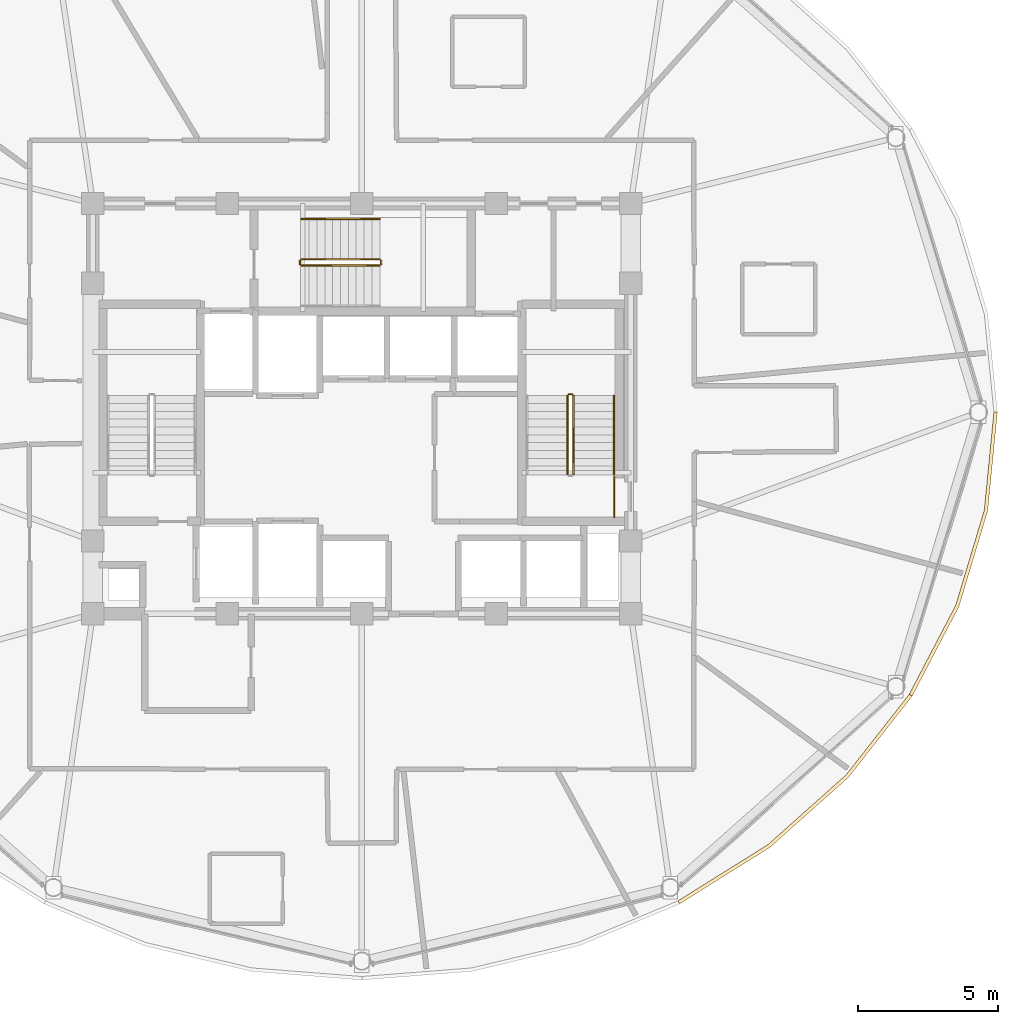
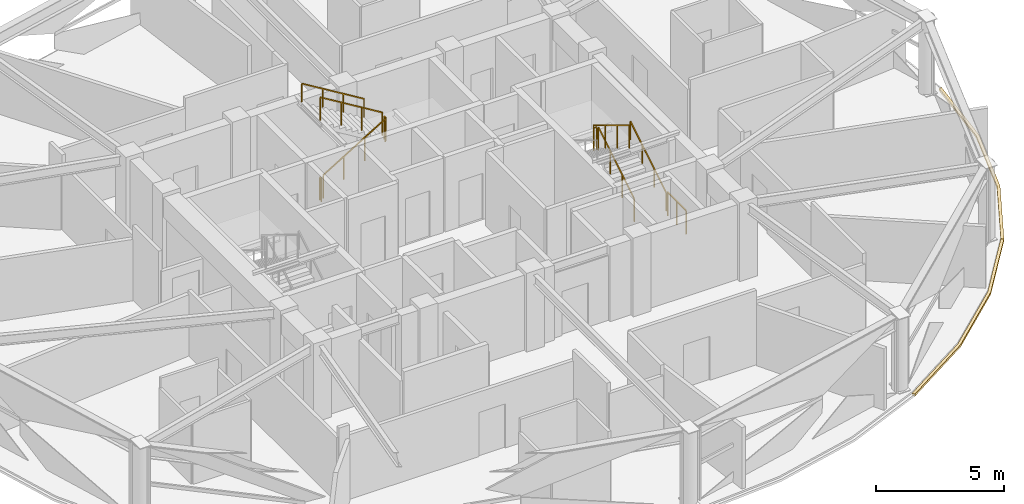
# One storey, part 27 of 28: 10 railings, 2 coverings.
"""IFC4 building model written with IfcOpenShell, lengths in metres."""

import ifcopenshell
import ifcopenshell.guid

model = None  # the IFC model being written
_history = None  # IfcOwnerHistory: only IFC2X3 demands one
_inside = {}  # id of a spatial element -> (the spatial element, [elements in it])
_under = {}  # id of a project, library or spatial element -> (it, [spatial elements below it])
_declared = {}  # id of a project -> (the project, [libraries it declares])
_typed = {}  # id of a type object -> (the type object, [elements of that type])
_made_of = {}  # id of a material, layer set ... -> (it, [elements and type objects made of it])


def new_model(schema):
    """Start an empty IFC model of exactly this schema.

    Asked for "IFC4X3", IfcOpenShell would pick the latest addendum, in which some entities
    have other attributes; the version numbers below select the first issue.
    IFC2X3 requires an IfcOwnerHistory on every rooted entity: one is made here for all.
    """
    global model, _history
    if schema == "IFC4X3":
        model = ifcopenshell.file(schema_version=(4, 3, 0, 0))
    else:
        model = ifcopenshell.file(schema=schema)
    _inside.clear()
    _under.clear()
    _declared.clear()
    _typed.clear()
    _made_of.clear()
    _history = None
    if model.schema == "IFC2X3":
        org = make("IfcOrganization", Name="unknown")
        user = make(
            "IfcPersonAndOrganization",
            ThePerson=make("IfcPerson", FamilyName="unknown"),
            TheOrganization=org,
        )
        app = make(
            "IfcApplication",
            ApplicationDeveloper=org,
            Version="unknown",
            ApplicationFullName="unknown",
            ApplicationIdentifier="unknown",
        )
        _history = make(
            "IfcOwnerHistory",
            OwningUser=user,
            OwningApplication=app,
            ChangeAction="ADDED",
            CreationDate=0,
        )
    return model


def make(cls, **values):
    """One entity of the class cls with the attributes given. An attribute that is None is left unset."""
    return model.create_entity(
        cls, **{name: value for name, value in values.items() if value is not None}
    )


def rooted(cls, **values):
    """An entity with a GlobalId (a new one), such as an element, a storey or a relation."""
    return make(cls, GlobalId=ifcopenshell.guid.new(), OwnerHistory=_history, **values)


def si_unit(unit_type, name, prefix=None):
    """IfcSIUnit, for example si_unit("LENGTHUNIT", "METRE", prefix="MILLI")."""
    return make("IfcSIUnit", UnitType=unit_type, Prefix=prefix, Name=name)


def assignment(units):
    """IfcUnitAssignment: the units of a project."""
    return None if units is None else make("IfcUnitAssignment", Units=units)


def point(xyz):
    """IfcCartesianPoint."""
    return None if xyz is None else make("IfcCartesianPoint", Coordinates=xyz)


def direction(xyz):
    """IfcDirection."""
    return None if xyz is None else make("IfcDirection", DirectionRatios=xyz)


def frame(location, z_axis=None, x_axis=None):
    """IfcAxis2Placement3D, a coordinate frame: its origin and axes. An axis left out is left unset."""
    return make(
        "IfcAxis2Placement3D",
        Location=point(location),
        Axis=direction(z_axis),
        RefDirection=direction(x_axis),
    )


def frame_2d(location, x_axis=None):
    """IfcAxis2Placement2D, a coordinate frame in the plane: its origin and x axis."""
    return make(
        "IfcAxis2Placement2D", Location=point(location), RefDirection=direction(x_axis)
    )


def origin():
    """The frame at (0, 0, 0) with its axes left unset."""
    return frame((0.0, 0.0, 0.0))


def origin_2d():
    """The frame at (0, 0) in the plane with its x axis left unset."""
    return frame_2d((0.0, 0.0))


def place(relative_to, where):
    """IfcLocalPlacement: puts the frame where relative to a parent placement (None: the world)."""
    return make(
        "IfcLocalPlacement", PlacementRelTo=relative_to, RelativePlacement=where
    )


def context(
    kind, dimensions, precision=None, world=None, true_north=None, identifier=None
):
    """IfcGeometricRepresentationContext, for example the 3D "Model" context."""
    return make(
        "IfcGeometricRepresentationContext",
        ContextIdentifier=identifier,
        ContextType=kind,
        CoordinateSpaceDimension=dimensions,
        Precision=precision,
        WorldCoordinateSystem=world,
        TrueNorth=true_north,
    )


def subcontext(parent, identifier, kind, view, scale=None):
    """IfcGeometricRepresentationSubContext, for example "Body" below "Model"."""
    return make(
        "IfcGeometricRepresentationSubContext",
        ContextIdentifier=identifier,
        ContextType=kind,
        ParentContext=parent,
        TargetScale=scale,
        TargetView=view,
    )


def project(units=None, contexts=None):
    """IfcProject with its units and contexts."""
    return rooted(
        "IfcProject",
        Name="project",
        RepresentationContexts=contexts,
        UnitsInContext=assignment(units),
    )


def spatial(cls, under=None, at=None, **own):
    """A site, building, storey or space (cls), placed at a placement, below another one or the project."""
    s = rooted(cls, ObjectPlacement=at, **own)
    if under is not None:
        _under.setdefault(under.id(), (under, []))[1].append(s)
    return s


def polyline(points):
    """IfcPolyline through the points."""
    return make("IfcPolyline", Points=[point(p) for p in points])


def profile(cls, at=None, kind="AREA", **sizes):
    """A parametric profile (cls). Its sizes go by their IFC names, for example OverallWidth=200.0."""
    return make(cls, ProfileType=kind, Position=at, **sizes)


def rectangle(**sizes):
    """IfcRectangleProfileDef."""
    return profile("IfcRectangleProfileDef", **sizes)


def outline(outer, holes=None, kind="AREA"):
    """IfcArbitraryClosedProfileDef: a profile drawn as a closed curve; with holes, ...WithVoids."""
    if holes is None:
        return make("IfcArbitraryClosedProfileDef", ProfileType=kind, OuterCurve=outer)
    return make(
        "IfcArbitraryProfileDefWithVoids",
        ProfileType=kind,
        OuterCurve=outer,
        InnerCurves=holes,
    )


def extrude(swept, where, along, depth):
    """IfcExtrudedAreaSolid: the profile swept, set in the frame where, extruded along a direction by depth."""
    return make(
        "IfcExtrudedAreaSolid",
        SweptArea=swept,
        Position=where,
        ExtrudedDirection=direction(along),
        Depth=depth,
    )


def shape(context_of_items, identifier, shape_type, items):
    """IfcShapeRepresentation: the items that make up one representation, for example the "Body"."""
    return make(
        "IfcShapeRepresentation",
        ContextOfItems=context_of_items,
        RepresentationIdentifier=identifier,
        RepresentationType=shape_type,
        Items=items,
    )


def material(Name=None, Category=None):
    """IfcMaterial."""
    return make("IfcMaterial", Name=Name, Category=Category)


def layer(
    of_material, thickness, ventilated=None, Name=None, Category=None, Priority=None
):
    """IfcMaterialLayer: one layer of a wall or slab, of a material (None: an air gap)."""
    return make(
        "IfcMaterialLayer",
        Material=of_material,
        LayerThickness=thickness,
        IsVentilated=ventilated,
        Name=Name,
        Category=Category,
        Priority=Priority,
    )


def layer_set(layers, Name=None):
    """IfcMaterialLayerSet."""
    return make("IfcMaterialLayerSet", MaterialLayers=layers, LayerSetName=Name)


def made_of(thing, what):
    """Note that an element or type object is made of a material, layer set ...; save() writes the relation."""
    if what is not None:
        _made_of.setdefault(what.id(), (what, []))[1].append(thing)
    return thing


def type_object(cls, material=None, **own):
    """A type object (cls), such as IfcWallType, which elements share."""
    return made_of(rooted(cls, **own), material)


def element(
    cls,
    number,
    at=None,
    inside=None,
    cuts=None,
    type_object=None,
    material=None,
    context=None,
    identifier="Body",
    shape_type=None,
    held_by="IfcProductDefinitionShape",
    body=None,
    shapes=None,
    **own,
):
    """One element of the class cls, such as IfcWall. Its Tag is "e" and its number.

    at: its placement. inside: the storey or other place that contains it. cuts: it is an
    opening in that element (IfcRelVoidsElement). A single representation is given by context,
    identifier, shape_type and body (its items); several are given by shapes. held_by: the class
    of the entity that holds the representations. save() writes the other relations.
    """
    e = rooted(cls, Tag="e%d" % number, ObjectPlacement=at, **own)
    if body is not None:
        shapes = [shape(context, identifier, shape_type, body)]
    if shapes is not None:
        e.Representation = make(held_by, Representations=shapes)
    if inside is not None:
        _inside.setdefault(inside.id(), (inside, []))[1].append(e)
    if cuts is not None:
        rooted(
            "IfcRelVoidsElement", RelatingBuildingElement=cuts, RelatedOpeningElement=e
        )
    if type_object is not None:
        _typed.setdefault(type_object.id(), (type_object, []))[1].append(e)
    return made_of(e, material)


def aggregate(whole, parts):
    """IfcRelAggregates: a whole, such as a stair, and the parts it consists of."""
    return rooted("IfcRelAggregates", RelatingObject=whole, RelatedObjects=parts)


def save(model, path):
    """Write the relations noted so far, then the file.

    IfcRelAggregates (storeys below a building ...), IfcRelContainedInSpatialStructure (elements
    in a storey), IfcRelDefinesByType, IfcRelAssociatesMaterial and IfcRelDeclares: one each for
    every whole, place, type object, material and project.
    """
    for whole, parts in _under.values():
        aggregate(whole, parts)
    for where, things in _inside.values():
        rooted(
            "IfcRelContainedInSpatialStructure",
            RelatedElements=things,
            RelatingStructure=where,
        )
    for kind, things in _typed.values():
        rooted("IfcRelDefinesByType", RelatedObjects=things, RelatingType=kind)
    for what, things in _made_of.values():
        rooted("IfcRelAssociatesMaterial", RelatedObjects=things, RelatingMaterial=what)
    for by, libraries in _declared.values():
        rooted("IfcRelDeclares", RelatingContext=by, RelatedDefinitions=libraries)
    model.write(path)


model = new_model("IFC4")

# Units and contexts
model_context = context("Model", 3, precision=1e-05, world=origin(), true_north=direction((0.0, 1.0)))
body_context = subcontext(model_context, "Body", "Model", "MODEL_VIEW")
ifc_project = project(units=[si_unit("LENGTHUNIT", "METRE"), si_unit("AREAUNIT", "SQUARE_METRE"), si_unit("VOLUMEUNIT", "CUBIC_METRE"), si_unit("PLANEANGLEUNIT", "RADIAN"), si_unit("MASSUNIT", "GRAM", prefix="KILO")], contexts=[model_context])

# Site, building, storey
site_placement = place(None, origin())
site = spatial("IfcSite", under=ifc_project, at=site_placement, CompositionType="ELEMENT")
building_placement = place(site_placement, origin())
building = spatial("IfcBuilding", under=site, at=building_placement, Name="Vantalir Tower", CompositionType="ELEMENT")
storey_placement = place(building_placement, frame((0.0, 0.0, 223.64990234375)))
storey = spatial("IfcBuildingStorey", under=building, at=storey_placement, Name="L56", CompositionType="ELEMENT", Elevation=223.64990234375)

# Coverings
ifc_material_1 = material(Name="Anodised champagne aluminium sill fascia", Category="aluminium")
ifc_layer = layer(ifc_material_1, 0.125)
ifc_layer_set = layer_set([ifc_layer], Name="Anodised champagne aluminium sill fascia")
covering_type = type_object("IfcCoveringType", Name="COV-SLAB-FASCIA-125", PredefinedType="CLADDING", material=ifc_layer_set)
covering_1_placement = place(storey_placement, frame((0.0, 0.0, -0.179931640625)))
element("IfcCovering", 1, at=covering_1_placement, inside=storey, type_object=covering_type, Name="L56 Perimeter Slab-Edge Sill Fascia 11", PredefinedType="CLADDING", context=body_context, shape_type="SweptSolid", body=[
    extrude(outline(polyline([(42.843994140625, 7.445068359375), (46.083984375, 9.471923828125), (48.8798828125, 11.969970703125), (51.14794921875, 14.864013671875), (51.0400390625, 14.927001953125), (48.783935546875, 12.050048828125), (46.0029296875, 9.56689453125), (42.781982421875, 7.552978515625), (42.843994140625, 7.445068359375)])), origin(), (0.0, 0.0, 1.0), 0.10498046875),
])
covering_2_placement = place(storey_placement, frame((0.0, 0.0, -0.179931640625)))
element("IfcCovering", 2, at=covering_2_placement, inside=storey, type_object=covering_type, Name="L56 Perimeter Slab-Edge Sill Fascia 12", PredefinedType="CLADDING", context=body_context, shape_type="SweptSolid", body=[
    extrude(outline(polyline([(51.14794921875, 14.864013671875), (52.820068359375, 18.06689453125), (53.843017578125, 21.47998046875), (54.18798828125, 25.0), (54.06298828125, 25.0), (53.719970703125, 21.501953125), (52.701904296875, 18.110107421875), (51.0400390625, 14.927001953125), (51.14794921875, 14.864013671875)])), origin(), (0.0, 0.0, 1.0), 0.10498046875),
])

# Railings
ifc_material_2 = material(Name="Anodised aluminium and stainless steel guard", Category="steel")
railing_type_1 = type_object("IfcRailingType", Name="RAL-GUARD-1120", PredefinedType="GUARDRAIL", material=ifc_material_2)
railing_1_placement = place(storey_placement, frame((39.06005859375, 22.7900390625, 0.170654296875)))
element("IfcRailing", 3, at=railing_1_placement, inside=storey, type_object=railing_type_1, Name="L56 ST2 stair guard 1", PredefinedType="GUARDRAIL", context=body_context, shape_type="SweptSolid", body=[
    extrude(rectangle(XDim=0.048095703125, YDim=0.048095703125, at=origin_2d()), frame((0.0, 0.0, 1.09619140625), z_axis=(0.0, 0.854202870247, 0.519939858505), x_axis=(-1.0, 0.0, 0.0)), (0.0, 0.0, 1.0), 3.278076171875),
    extrude(rectangle(XDim=0.0419921875, YDim=0.0419921875, at=origin_2d()), origin(), (0.0, 0.0, 1.0), 1.072021484375),
    extrude(rectangle(XDim=0.0419921875, YDim=0.0419921875, at=origin_2d()), frame((0.0, 0.933349609375, 0.568115234375)), (0.0, 0.0, 1.0), 1.072021484375),
    extrude(rectangle(XDim=0.0419921875, YDim=0.0419921875, at=origin_2d()), frame((0.0, 1.86669921875, 1.13623046875)), (0.0, 0.0, 1.0), 1.072021484375),
    extrude(rectangle(XDim=0.0419921875, YDim=0.0419921875, at=origin_2d()), frame((0.0, 2.800048828125, 1.704345703125)), (0.0, 0.0, 1.0), 1.072021484375),
])
railing_2_placement = place(storey_placement, frame((39.010009765625, 25.639892578125, 1.875)))
element("IfcRailing", 4, at=railing_2_placement, inside=storey, type_object=railing_type_1, Name="L56 ST2 stair guard 2", PredefinedType="GUARDRAIL", context=body_context, shape_type="SweptSolid", body=[
    extrude(rectangle(XDim=0.048095703125, YDim=0.048095703125, at=origin_2d()), frame((0.0, 0.0, 1.09619140625), z_axis=(-1.0, 0.0, 0.0), x_axis=(0.0, -1.0, 0.0)), (0.0, 0.0, 1.0), 0.1201171875),
    extrude(rectangle(XDim=0.0419921875, YDim=0.0419921875, at=origin_2d()), origin(), (0.0, 0.0, 1.0), 1.072021484375),
    extrude(rectangle(XDim=0.0419921875, YDim=0.0419921875, at=origin_2d()), frame((-0.1201171875, 0.0, 0.0)), (0.0, 0.0, 1.0), 1.072021484375),
])
railing_3_placement = place(storey_placement, frame((38.840087890625, 25.590087890625, 2.045654296875)))
element("IfcRailing", 5, at=railing_3_placement, inside=storey, type_object=railing_type_1, Name="L56 ST2 stair guard 3", PredefinedType="GUARDRAIL", context=body_context, shape_type="SweptSolid", body=[
    extrude(rectangle(XDim=0.048095703125, YDim=0.048095703125, at=origin_2d()), frame((0.0, 0.0, 1.09619140625), z_axis=(0.0, -0.854202870247, 0.519939858505), x_axis=(1.0, 0.0, 0.0)), (0.0, 0.0, 1.0), 3.278076171875),
    extrude(rectangle(XDim=0.0419921875, YDim=0.0419921875, at=origin_2d()), origin(), (0.0, 0.0, 1.0), 1.072021484375),
    extrude(rectangle(XDim=0.0419921875, YDim=0.0419921875, at=origin_2d()), frame((0.0, -0.933349609375, 0.568115234375)), (0.0, 0.0, 1.0), 1.072021484375),
    extrude(rectangle(XDim=0.0419921875, YDim=0.0419921875, at=origin_2d()), frame((0.0, -1.86669921875, 1.13623046875)), (0.0, 0.0, 1.0), 1.072021484375),
    extrude(rectangle(XDim=0.0419921875, YDim=0.0419921875, at=origin_2d()), frame((0.0, -2.800048828125, 1.704345703125)), (0.0, 0.0, 1.0), 1.072021484375),
])
railing_4_placement = place(storey_placement, frame((29.340087890625, 30.239990234375, 0.170654296875)))
element("IfcRailing", 6, at=railing_4_placement, inside=storey, type_object=railing_type_1, Name="L56 ST3 stair guard 1", PredefinedType="GUARDRAIL", context=body_context, shape_type="SweptSolid", body=[
    extrude(rectangle(XDim=0.048095703125, YDim=0.048095703125, at=origin_2d()), frame((0.0, 0.0, 1.09619140625), z_axis=(0.854182733786, 0.0, 0.519972939009), x_axis=(0.0, 1.0, 0.0)), (0.0, 0.0, 1.0), 3.27783203125),
    extrude(rectangle(XDim=0.0419921875, YDim=0.0419921875, at=origin_2d()), origin(), (0.0, 0.0, 1.0), 1.072021484375),
    extrude(rectangle(XDim=0.0419921875, YDim=0.0419921875, at=origin_2d()), frame((0.933349609375, 0.0, 0.568115234375)), (0.0, 0.0, 1.0), 1.072021484375),
    extrude(rectangle(XDim=0.0419921875, YDim=0.0419921875, at=origin_2d()), frame((1.866455078125, 0.0, 1.13623046875)), (0.0, 0.0, 1.0), 1.072021484375),
    extrude(rectangle(XDim=0.0419921875, YDim=0.0419921875, at=origin_2d()), frame((2.7998046875, 0.0, 1.704345703125)), (0.0, 0.0, 1.0), 1.072021484375),
])
railing_5_placement = place(storey_placement, frame((32.18994140625, 30.2900390625, 1.875)))
element("IfcRailing", 7, at=railing_5_placement, inside=storey, type_object=railing_type_1, Name="L56 ST3 stair guard 2", PredefinedType="GUARDRAIL", context=body_context, shape_type="SweptSolid", body=[
    extrude(rectangle(XDim=0.048095703125, YDim=0.048095703125, at=origin_2d()), frame((0.0, 0.0, 1.09619140625), z_axis=(0.0, 1.0, 0.0), x_axis=(-1.0, 0.0, 0.0)), (0.0, 0.0, 1.0), 0.119873046875),
    extrude(rectangle(XDim=0.0419921875, YDim=0.0419921875, at=origin_2d()), origin(), (0.0, 0.0, 1.0), 1.072021484375),
    extrude(rectangle(XDim=0.0419921875, YDim=0.0419921875, at=origin_2d()), frame((0.0, 0.119873046875, 0.0)), (0.0, 0.0, 1.0), 1.072021484375),
])
railing_6_placement = place(storey_placement, frame((32.139892578125, 30.4599609375, 2.045654296875)))
element("IfcRailing", 8, at=railing_6_placement, inside=storey, type_object=railing_type_1, Name="L56 ST3 stair guard 3", PredefinedType="GUARDRAIL", context=body_context, shape_type="SweptSolid", body=[
    extrude(rectangle(XDim=0.048095703125, YDim=0.048095703125, at=origin_2d()), frame((0.0, 0.0, 1.09619140625), z_axis=(-0.854182733786, 0.0, 0.519972939009), x_axis=(0.0, -1.0, 0.0)), (0.0, 0.0, 1.0), 3.27783203125),
    extrude(rectangle(XDim=0.0419921875, YDim=0.0419921875, at=origin_2d()), origin(), (0.0, 0.0, 1.0), 1.072021484375),
    extrude(rectangle(XDim=0.0419921875, YDim=0.0419921875, at=origin_2d()), frame((-0.933349609375, 0.0, 0.568115234375)), (0.0, 0.0, 1.0), 1.072021484375),
    extrude(rectangle(XDim=0.0419921875, YDim=0.0419921875, at=origin_2d()), frame((-1.866455078125, 0.0, 1.13623046875)), (0.0, 0.0, 1.0), 1.072021484375),
    extrude(rectangle(XDim=0.0419921875, YDim=0.0419921875, at=origin_2d()), frame((-2.7998046875, 0.0, 1.704345703125)), (0.0, 0.0, 1.0), 1.072021484375),
])
railing_7_placement = place(storey_placement, frame((29.2900390625, 30.2900390625, 0.0)))
element("IfcRailing", 9, at=railing_7_placement, inside=storey, type_object=railing_type_1, Name="L56 ST3 stair guard 4", PredefinedType="GUARDRAIL", context=body_context, shape_type="SweptSolid", body=[
    extrude(rectangle(XDim=0.048095703125, YDim=0.048095703125, at=origin_2d()), frame((0.0, 0.0, 1.09619140625), z_axis=(0.0, 1.0, 0.0), x_axis=(-1.0, 0.0, 0.0)), (0.0, 0.0, 1.0), 0.119873046875),
    extrude(rectangle(XDim=0.0419921875, YDim=0.0419921875, at=origin_2d()), origin(), (0.0, 0.0, 1.0), 1.072021484375),
    extrude(rectangle(XDim=0.0419921875, YDim=0.0419921875, at=origin_2d()), frame((0.0, 0.119873046875, 0.0)), (0.0, 0.0, 1.0), 1.072021484375),
])
railing_8_placement = place(storey_placement, frame((40.510009765625, 21.260009765625, 0.0)))
element("IfcRailing", 10, at=railing_8_placement, inside=storey, type_object=railing_type_1, Name="L56 Stair ST2 Doorway Landing Guard", PredefinedType="GUARDRAIL", context=body_context, shape_type="SweptSolid", body=[
    extrude(rectangle(XDim=0.048095703125, YDim=0.048095703125, at=origin_2d()), frame((0.0, 0.0, 1.1259765625), z_axis=(0.0, 1.0, 0.0), x_axis=(-1.0, 0.0, 0.0)), (0.0, 0.0, 1.0), 1.43994140625),
    extrude(rectangle(XDim=0.0419921875, YDim=0.0419921875, at=origin_2d()), origin(), (0.0, 0.0, 1.0), 1.101806640625),
    extrude(rectangle(XDim=0.0419921875, YDim=0.0419921875, at=origin_2d()), frame((0.0, 0.719970703125, 0.0)), (0.0, 0.0, 1.0), 1.101806640625),
    extrude(rectangle(XDim=0.0419921875, YDim=0.0419921875, at=origin_2d()), frame((0.0, 1.43994140625, 0.0)), (0.0, 0.0, 1.0), 1.101806640625),
])
ifc_material_3 = material(Name="Brushed stainless steel tubular handrail", Category="steel")
railing_type_2 = type_object("IfcRailingType", Name="RAL-HANDRAIL-900", PredefinedType="HANDRAIL", material=ifc_material_3)
railing_9_placement = place(storey_placement, frame((40.5, 22.7900390625, 0.170654296875)))
element("IfcRailing", 11, at=railing_9_placement, inside=storey, type_object=railing_type_2, Name="L56 ST2 stair handrail 1", PredefinedType="HANDRAIL", context=body_context, shape_type="SweptSolid", body=[
    extrude(rectangle(XDim=0.048095703125, YDim=0.048095703125, at=origin_2d()), frame((0.0, 0.0, 0.8759765625), z_axis=(0.0, 0.854202870247, 0.519939858505), x_axis=(-1.0, 0.0, 0.0)), (0.0, 0.0, 1.0), 3.278076171875),
    extrude(rectangle(XDim=0.0419921875, YDim=0.0419921875, at=origin_2d()), origin(), (0.0, 0.0, 1.0), 0.851806640625),
    extrude(rectangle(XDim=0.0419921875, YDim=0.0419921875, at=origin_2d()), frame((0.0, 0.933349609375, 0.568115234375)), (0.0, 0.0, 1.0), 0.851806640625),
    extrude(rectangle(XDim=0.0419921875, YDim=0.0419921875, at=origin_2d()), frame((0.0, 1.86669921875, 1.13623046875)), (0.0, 0.0, 1.0), 0.851806640625),
    extrude(rectangle(XDim=0.0419921875, YDim=0.0419921875, at=origin_2d()), frame((0.0, 2.800048828125, 1.704345703125)), (0.0, 0.0, 1.0), 0.851806640625),
])
railing_10_placement = place(storey_placement, frame((32.139892578125, 31.89990234375, 2.045654296875)))
element("IfcRailing", 12, at=railing_10_placement, inside=storey, type_object=railing_type_2, Name="L56 ST3 stair handrail 2", PredefinedType="HANDRAIL", context=body_context, shape_type="SweptSolid", body=[
    extrude(rectangle(XDim=0.048095703125, YDim=0.048095703125, at=origin_2d()), frame((0.0, 0.0, 0.8759765625), z_axis=(-0.854182733786, 0.0, 0.519972939009), x_axis=(0.0, -1.0, 0.0)), (0.0, 0.0, 1.0), 3.27783203125),
    extrude(rectangle(XDim=0.0419921875, YDim=0.0419921875, at=origin_2d()), origin(), (0.0, 0.0, 1.0), 0.851806640625),
    extrude(rectangle(XDim=0.0419921875, YDim=0.0419921875, at=origin_2d()), frame((-0.933349609375, 0.0, 0.568115234375)), (0.0, 0.0, 1.0), 0.851806640625),
    extrude(rectangle(XDim=0.0419921875, YDim=0.0419921875, at=origin_2d()), frame((-1.866455078125, 0.0, 1.13623046875)), (0.0, 0.0, 1.0), 0.851806640625),
    extrude(rectangle(XDim=0.0419921875, YDim=0.0419921875, at=origin_2d()), frame((-2.7998046875, 0.0, 1.704345703125)), (0.0, 0.0, 1.0), 0.851806640625),
])

save(model, "model.ifc")
